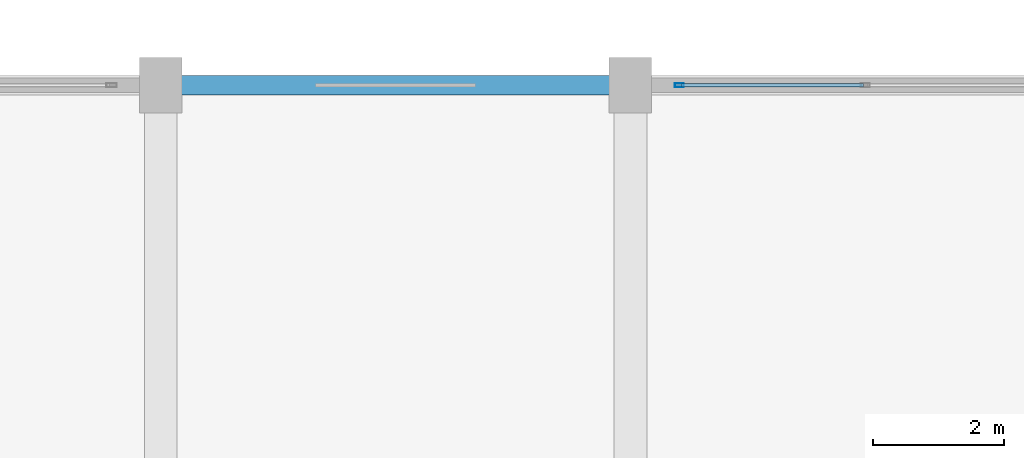
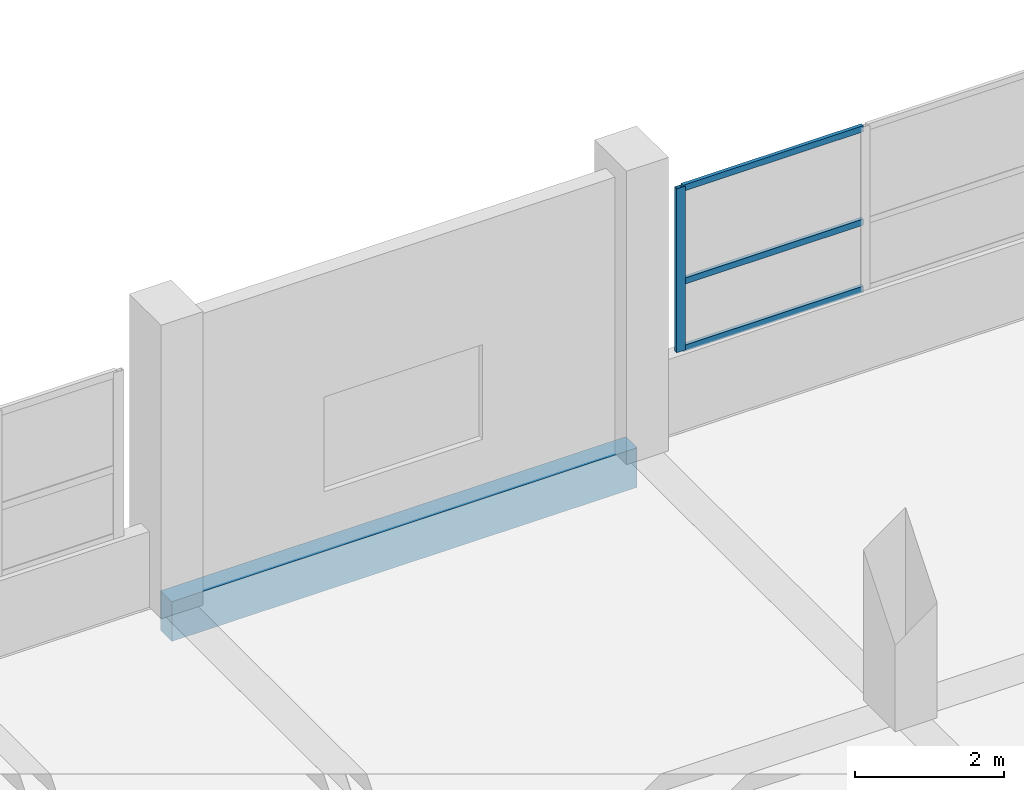
# One storey, part 143 of 181: 4 members, 1 beam, 1 element without a shape of its own.
"""IFC4 building model written with IfcOpenShell, lengths in metres."""

from ifc_helpers import new_model, si_unit, direction, frame, origin, origin_2d, place, context, subcontext, project, spatial, rectangle, hollow_rectangle, extrude, material, layer, layer_set, material_profile, profile_set, type_object, element, aggregate, save


model = new_model("IFC4")

# Units and contexts
model_context = context("Model", 3, precision=1e-05, world=origin(), true_north=direction((0.0, 1.0)))
body_context = subcontext(model_context, "Body", "Model", "MODEL_VIEW")
ifc_project = project(units=[si_unit("LENGTHUNIT", "METRE"), si_unit("AREAUNIT", "SQUARE_METRE"), si_unit("VOLUMEUNIT", "CUBIC_METRE"), si_unit("PLANEANGLEUNIT", "RADIAN"), si_unit("MASSUNIT", "GRAM", prefix="KILO")], contexts=[model_context])

# Site, building, storey
site_placement = place(None, origin())
site = spatial("IfcSite", under=ifc_project, at=site_placement, CompositionType="ELEMENT")
building_placement = place(site_placement, origin())
building = spatial("IfcBuilding", under=site, at=building_placement, Name="Seraya Terrace Polytechnic", CompositionType="ELEMENT")
storey_placement = place(building_placement, frame((0.0, 0.0, 4.800048828125)))
storey = spatial("IfcBuildingStorey", under=building, at=storey_placement, Name="L01", CompositionType="ELEMENT", Elevation=4.800048828125)

# Curtain wall, members
ifc_material_1 = material(Name="Anodised aluminium EN AW-6063 T6", Category="aluminium")
ifc_layer = layer(ifc_material_1, 0.179931640625, Name="CW-18")
ifc_layer_set = layer_set([ifc_layer], Name="Anodised aluminium EN AW-6063 T6")
curtain_wall_type = type_object("IfcCurtainWallType", Name="CW-18", PredefinedType="NOTDEFINED", material=ifc_layer_set)
curtain_wall_placement = place(storey_placement, origin())
curtain_wall = element("IfcCurtainWall", 1, at=curtain_wall_placement, inside=storey, type_object=curtain_wall_type, Name="Unitised curtain wall CW-18 (CW-L01-018)", PredefinedType="NOTDEFINED")
ifc_material_profile_1 = material_profile(ifc_material_1, hollow_rectangle(XDim=0.06005859375, YDim=0.139892578125, WallThickness=0.00341796875, at=origin_2d()), Name="RHS 140x60x3.5")
ifc_profile_set_1 = profile_set([ifc_material_profile_1], Name="Anodised aluminium EN AW-6063 T6")
member_type_1 = type_object("IfcMemberType", Name="CWM-03", PredefinedType="MULLION", material=ifc_profile_set_1)
member_1_placement = place(storey_placement, frame((144.75, 115.199951171875, 1.239990234375), z_axis=(0.0, 0.0, 1.0), x_axis=(0.0, 1.0, 0.0)))
member_1 = element("IfcMember", 2, at=member_1_placement, type_object=member_type_1, Name="CW-18 mullion 1", PredefinedType="MULLION", context=body_context, shape_type="SweptSolid", body=[
    extrude(hollow_rectangle(XDim=0.06005859375, YDim=0.139892578125, WallThickness=0.00341796875, at=origin_2d()), origin(), (0.0, 0.0, 1.0), 2.679931640625),
])
ifc_material_profile_2 = material_profile(ifc_material_1, hollow_rectangle(XDim=0.054931640625, YDim=0.10009765625, WallThickness=0.0029296875, at=origin_2d()), Name="RHS 100x55x3.0")
ifc_profile_set_2 = profile_set([ifc_material_profile_2], Name="Anodised aluminium EN AW-6063 T6")
member_type_2 = type_object("IfcMemberType", Name="CWT-03", PredefinedType="USERDEFINED", material=ifc_profile_set_2)
member_2_placement = place(storey_placement, frame((144.780029296875, 115.199951171875, 1.267333984375), z_axis=(1.0, 0.0, 0.0), x_axis=(0.0, 1.0, 0.0)))
member_2 = element("IfcMember", 3, at=member_2_placement, type_object=member_type_2, Name="CW-18 transom 1.1", ObjectType="TRANSOM", PredefinedType="USERDEFINED", context=body_context, shape_type="SweptSolid", body=[
    extrude(hollow_rectangle(XDim=0.054931640625, YDim=0.10009765625, WallThickness=0.0029296875, at=origin_2d()), origin(), (0.0, 0.0, 1.0), 2.7900390625),
])
member_3_placement = place(storey_placement, frame((144.780029296875, 115.199951171875, 2.365478515625), z_axis=(1.0, 0.0, 0.0), x_axis=(0.0, 1.0, 0.0)))
member_3 = element("IfcMember", 4, at=member_3_placement, type_object=member_type_2, Name="CW-18 transom 1.2", ObjectType="TRANSOM", PredefinedType="USERDEFINED", context=body_context, shape_type="SweptSolid", body=[
    extrude(hollow_rectangle(XDim=0.054931640625, YDim=0.10009765625, WallThickness=0.0029296875, at=origin_2d()), origin(), (0.0, 0.0, 1.0), 2.7900390625),
])
member_4_placement = place(storey_placement, frame((144.780029296875, 115.199951171875, 3.892333984375), z_axis=(1.0, 0.0, 0.0), x_axis=(0.0, 1.0, 0.0)))
member_4 = element("IfcMember", 5, at=member_4_placement, type_object=member_type_2, Name="CW-18 transom 1.3", ObjectType="TRANSOM", PredefinedType="USERDEFINED", context=body_context, shape_type="SweptSolid", body=[
    extrude(hollow_rectangle(XDim=0.054931640625, YDim=0.10009765625, WallThickness=0.0029296875, at=origin_2d()), origin(), (0.0, 0.0, 1.0), 2.7900390625),
])
aggregate(curtain_wall, [member_1, member_2, member_3, member_4])

# Beam
ifc_material_2 = material(Name="Concrete C40/50", Category="concrete")
ifc_material_profile_3 = material_profile(ifc_material_2, rectangle(XDim=0.300048828125, YDim=0.64990234375, at=origin_2d()), Name="RC 300x650")
ifc_profile_set_3 = profile_set([ifc_material_profile_3], Name="Concrete C40/50")
beam_type = type_object("IfcBeamType", Name="SP-01", PredefinedType="SPANDREL", material=ifc_profile_set_3)
beam_placement = place(storey_placement, frame((136.800048828125, 115.199951171875, -0.324951171875), z_axis=(1.0, 0.0, 0.0), x_axis=(0.0, 1.0, 0.0)))
element("IfcBeam", 6, at=beam_placement, inside=storey, type_object=beam_type, Name="Beam SP-01 L01 X (136.8..144.0, 115.2)", PredefinedType="SPANDREL", context=body_context, shape_type="SweptSolid", body=[
    extrude(rectangle(XDim=0.300048828125, YDim=0.64990234375, at=origin_2d()), origin(), (0.0, 0.0, 1.0), 7.199951171875),
])

save(model, "model.ifc")
